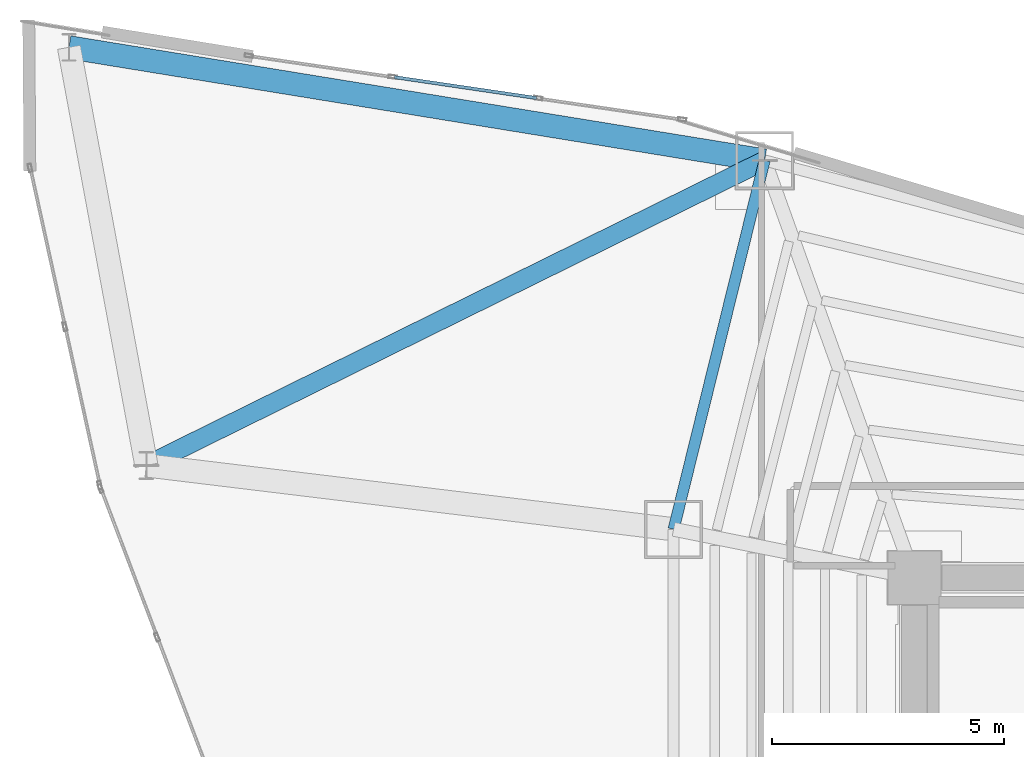
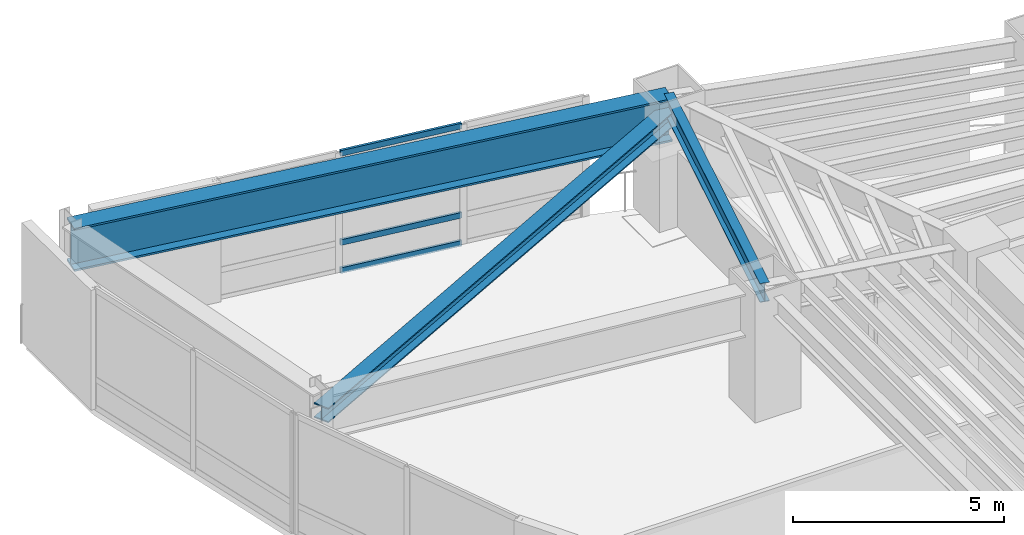
# One storey, part 11 of 23: 4 members, 2 beams, 1 element without a shape of its own.
"""IFC4 building model written with IfcOpenShell, lengths in metres."""

from ifc_helpers import new_model, si_unit, direction, frame, origin, origin_2d, place, context, subcontext, project, spatial, hollow_rectangle, i_section, extrude, material, layer, layer_set, material_profile, profile_set, type_object, element, aggregate, save


model = new_model("IFC4")

# Units and contexts
model_context = context("Model", 3, precision=1e-05, world=origin(), true_north=direction((0.0, 1.0)))
body_context = subcontext(model_context, "Body", "Model", "MODEL_VIEW")
ifc_project = project(units=[si_unit("LENGTHUNIT", "METRE"), si_unit("AREAUNIT", "SQUARE_METRE"), si_unit("VOLUMEUNIT", "CUBIC_METRE"), si_unit("PLANEANGLEUNIT", "RADIAN"), si_unit("MASSUNIT", "GRAM", prefix="KILO")], contexts=[model_context])

# Site, building, storey
site_placement = place(None, origin())
site = spatial("IfcSite", under=ifc_project, at=site_placement, CompositionType="ELEMENT")
building_placement = place(site_placement, origin())
building = spatial("IfcBuilding", under=site, at=building_placement, Name="Menara Vayukalpa", CompositionType="ELEMENT")
storey_placement = place(building_placement, frame((0.0, 0.0, 107.699951171875)))
storey = spatial("IfcBuildingStorey", under=building, at=storey_placement, Name="L26", CompositionType="ELEMENT", Elevation=107.699951171875)

# Beams
ifc_material_1 = material(Name="Steel S355", Category="steel")
ifc_material_profile_1 = material_profile(ifc_material_1, i_section(OverallWidth=0.239990234375, OverallDepth=0.550048828125, WebThickness=0.010986328125, FlangeThickness=0.01904296875, at=origin_2d()), Name="WF 550x240x11x19")
ifc_profile_set_1 = profile_set([ifc_material_profile_1], Name="Steel S355")
beam_type_1 = type_object("IfcBeamType", Name="BM-SP2", PredefinedType="SPANDREL", material=ifc_profile_set_1)
beam_1_placement = place(storey_placement, frame((14.569091796875, 35.79736328125, 3.195068359375), z_axis=(-0.239602739234, -0.970871014786, 0.0), x_axis=(0.970871014786, -0.239602739234, 0.0)))
element("IfcBeam", 1, at=beam_1_placement, inside=storey, type_object=beam_type_1, Name="L26 Perimeter Spandrel Beam SP04", PredefinedType="SPANDREL", context=body_context, shape_type="SweptSolid", body=[
    extrude(i_section(OverallWidth=0.239990234375, OverallDepth=0.550048828125, WebThickness=0.010986328125, FlangeThickness=0.01904296875, at=origin_2d()), origin(), (0.0, 0.0, 1.0), 8.190185546875),
])
ifc_material_2 = material(Name="Steel S460", Category="steel")
ifc_material_profile_2 = material_profile(ifc_material_2, i_section(OverallWidth=0.5, OverallDepth=1.25, WebThickness=0.028076171875, FlangeThickness=0.054931640625, at=origin_2d()), Name="WG 1250x500x28x55")
ifc_profile_set_2 = profile_set([ifc_material_profile_2], Name="Steel S460")
beam_type_2 = type_object("IfcBeamType", Name="BM-TG2", PredefinedType="BEAM", material=ifc_profile_set_2)
beam_2_placement = place(storey_placement, frame((14.569091796875, 35.79736328125, 2.844970703125), z_axis=(-0.987023560608, 0.160575498766, 0.0), x_axis=(-0.160575498766, -0.987023560608, 0.0)))
element("IfcBeam", 2, at=beam_2_placement, inside=storey, type_object=beam_type_2, Name="L26 SB2 Sky Bar Vierendeel Girder 04", PredefinedType="BEAM", context=body_context, shape_type="SweptSolid", body=[
    extrude(i_section(OverallWidth=0.5, OverallDepth=1.25, WebThickness=0.028076171875, FlangeThickness=0.054931640625, at=origin_2d()), origin(), (0.0, 0.0, 1.0), 15.195068359375),
])

# Curtain wall, members
ifc_material_3 = material(Name="Anodised Terracotta Aluminium Alloy 6063-T6", Category="masonry")
ifc_layer = layer(ifc_material_3, 0.179931640625)
ifc_layer_set = layer_set([ifc_layer], Name="Anodised Terracotta Aluminium Alloy 6063-T6")
curtain_wall_type = type_object("IfcCurtainWallType", Name="CW-CW4", PredefinedType="USERDEFINED", material=ifc_layer_set)
curtain_wall_placement = place(storey_placement, origin())
curtain_wall = element("IfcCurtainWall", 3, at=curtain_wall_placement, inside=storey, type_object=curtain_wall_type, Name="L26 Sky Bar Cantilever Glazed Curtain Wall CW4 07", ObjectType="UNITISED", PredefinedType="USERDEFINED")
ifc_material_4 = material(Name="Anodised Terracotta Aluminium Alloy 6063-T6", Category="masonry")
ifc_material_profile_3 = material_profile(ifc_material_4, hollow_rectangle(XDim=0.070068359375, YDim=0.1650390625, WallThickness=0.00390625, at=origin_2d()), Name="ALU 70x165x4")
ifc_profile_set_3 = profile_set([ifc_material_profile_3], Name="Anodised Terracotta Aluminium Alloy 6063-T6")
member_type_1 = type_object("IfcMemberType", Name="CWT-CW4", PredefinedType="USERDEFINED", material=ifc_profile_set_3)
member_1_placement = place(storey_placement, frame((9.653564453125, 37.142822265625, 0.03515625), z_axis=(-0.98935780051, 0.14550306722, 0.0), x_axis=(-0.14550306722, -0.98935780051, 0.0)))
member_1 = element("IfcMember", 4, at=member_1_placement, type_object=member_type_1, Name="CW4 transom 2.1", ObjectType="TRANSOM", PredefinedType="USERDEFINED", context=body_context, shape_type="SweptSolid", body=[
    extrude(hollow_rectangle(XDim=0.070068359375, YDim=0.1650390625, WallThickness=0.00390625, at=origin_2d()), origin(), (0.0, 0.0, 1.0), 3.097412109375),
])
member_2_placement = place(storey_placement, frame((9.653564453125, 37.142822265625, 0.85009765625), z_axis=(-0.98935780051, 0.14550306722, 0.0), x_axis=(-0.14550306722, -0.98935780051, 0.0)))
member_2 = element("IfcMember", 5, at=member_2_placement, type_object=member_type_1, Name="CW4 transom 2.2", ObjectType="TRANSOM", PredefinedType="USERDEFINED", context=body_context, shape_type="SweptSolid", body=[
    extrude(hollow_rectangle(XDim=0.070068359375, YDim=0.1650390625, WallThickness=0.00390625, at=origin_2d()), origin(), (0.0, 0.0, 1.0), 3.097412109375),
])
member_3_placement = place(storey_placement, frame((9.653564453125, 37.142822265625, 3.43505859375), z_axis=(-0.98935780051, 0.14550306722, 0.0), x_axis=(-0.14550306722, -0.98935780051, 0.0)))
member_3 = element("IfcMember", 6, at=member_3_placement, type_object=member_type_1, Name="CW4 transom 2.3", ObjectType="TRANSOM", PredefinedType="USERDEFINED", context=body_context, shape_type="SweptSolid", body=[
    extrude(hollow_rectangle(XDim=0.070068359375, YDim=0.1650390625, WallThickness=0.00390625, at=origin_2d()), origin(), (0.0, 0.0, 1.0), 3.097412109375),
])
aggregate(curtain_wall, [member_1, member_2, member_3])

# Member
ifc_material_5 = material(Name="Steel S460", Category="steel")
ifc_material_profile_4 = material_profile(ifc_material_5, i_section(OverallWidth=0.406982421875, OverallDepth=0.427978515625, WebThickness=0.02001953125, FlangeThickness=0.034912109375, at=origin_2d()), Name="H 428x407x20x35")
ifc_profile_set_4 = profile_set([ifc_material_profile_4], Name="Steel S460")
member_type_2 = type_object("IfcMemberType", Name="MEM-BR1", PredefinedType="BRACE", material=ifc_profile_set_4)
member_4_placement = place(storey_placement, frame((14.569091796875, 35.79736328125, 2.844970703125), z_axis=(-0.896845161213, -0.442344613179, 0.0), x_axis=(0.442344613179, -0.896845161213, 0.0)))
element("IfcMember", 7, at=member_4_placement, inside=storey, type_object=member_type_2, Name="L26 SB2 Sky Bar Diaphragm Truss Brace 04", PredefinedType="BRACE", context=body_context, shape_type="SweptSolid", body=[
    extrude(i_section(OverallWidth=0.406982421875, OverallDepth=0.427978515625, WebThickness=0.02001953125, FlangeThickness=0.034912109375, at=origin_2d()), origin(), (0.0, 0.0, 1.0), 14.8623046875),
])

save(model, "model.ifc")
